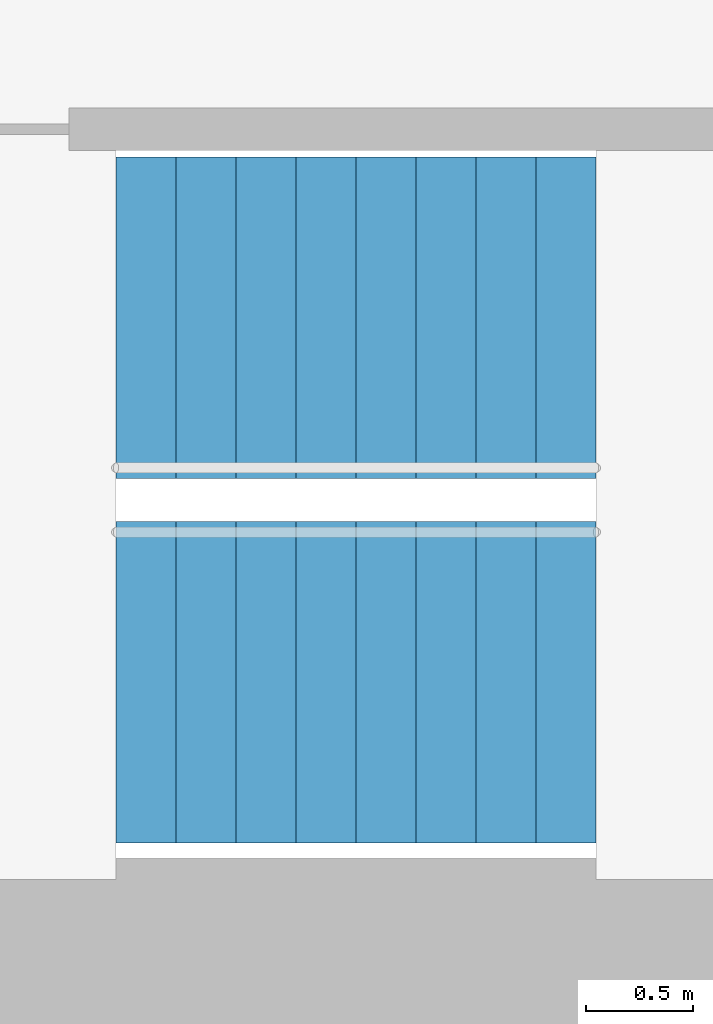
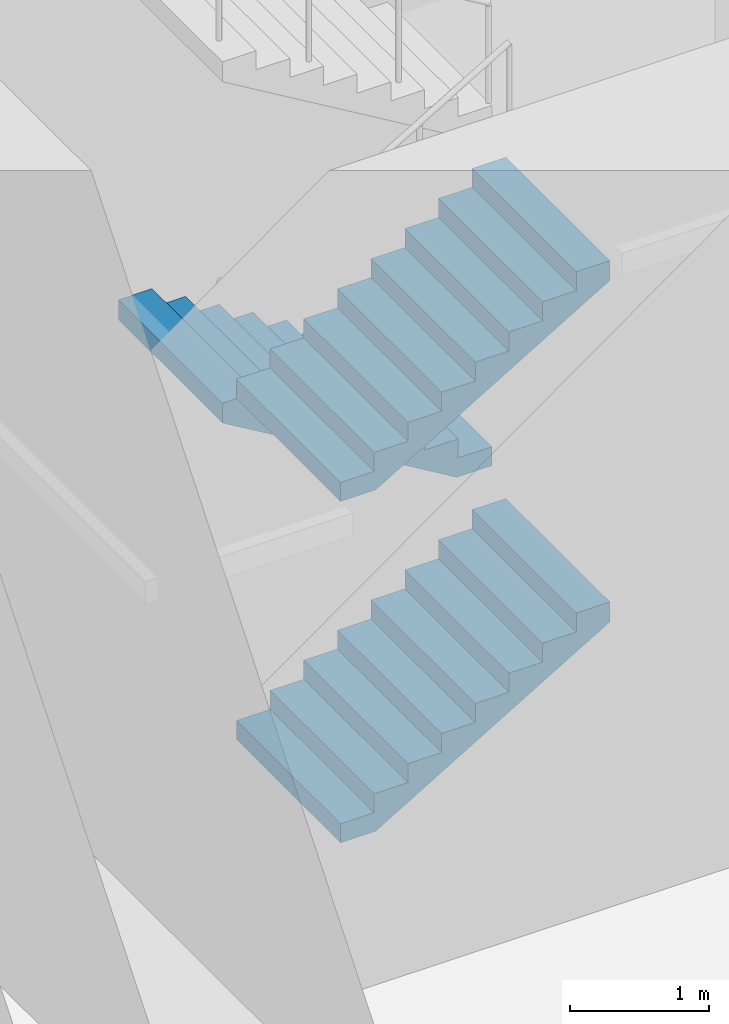
# One storey, part 16 of 21: 3 stair flights, 1 element without a shape of its own.
"""IFC4 building model written with IfcOpenShell, lengths in metres."""

from ifc_helpers import new_model, si_unit, direction, frame, origin, place, context, subcontext, project, spatial, triangles, material, type_object, element, aggregate, save


model = new_model("IFC4")

# Units and contexts
model_context = context("Model", 3, precision=1e-05, world=origin(), true_north=direction((0.0, 1.0)))
body_context = subcontext(model_context, "Body", "Model", "MODEL_VIEW")
ifc_project = project(units=[si_unit("LENGTHUNIT", "METRE"), si_unit("AREAUNIT", "SQUARE_METRE"), si_unit("VOLUMEUNIT", "CUBIC_METRE"), si_unit("PLANEANGLEUNIT", "RADIAN"), si_unit("MASSUNIT", "GRAM", prefix="KILO")], contexts=[model_context])

# Site, building, storey
site_placement = place(None, origin())
site = spatial("IfcSite", under=ifc_project, at=site_placement, CompositionType="ELEMENT")
building_placement = place(site_placement, origin())
building = spatial("IfcBuilding", under=site, at=building_placement, Name="Lantaw Convention Tower", CompositionType="ELEMENT")
storey_placement = place(building_placement, frame((0.0, 0.0, 111.39990234375)))
storey = spatial("IfcBuildingStorey", under=building, at=storey_placement, Name="L26", CompositionType="ELEMENT", Elevation=111.39990234375)

# Stair, stair flights
ifc_material = material(Name="Concrete C35/45", Category="concrete")
stair_type = type_object("IfcStairType", Name="Exit stair 1500 riser 166.67 in 4 flights", PredefinedType="HALF_TURN_STAIR", material=ifc_material)
stair_placement = place(storey_placement, origin())
stair = element("IfcStair", 1, at=stair_placement, inside=storey, type_object=stair_type, Name="Exit stair S1 L26", PredefinedType="HALF_TURN_STAIR")
stair_flight_type = type_object("IfcStairFlightType", Name="Stair flight 1500 riser 166.67", PredefinedType="STRAIGHT", material=ifc_material)
stair_flight_1_placement = place(storey_placement, frame((-10.580078125, -5.97998046875, 0.0), z_axis=(0.0, 0.0, 1.0), x_axis=(1.0, 0.0, 0.0)))
stair_flight_1 = element("IfcStairFlight", 2, at=stair_flight_1_placement, type_object=stair_flight_type, Name="S1 flight 1", NumberOfRisers=9, NumberOfTreads=8, PredefinedType="STRAIGHT", RiserHeight=0.166666667, TreadLength=0.28, context=body_context, shape_type="Tessellation", body=[
    triangles([(0.0, 0.75, 0.0), (0.0, 0.75, 0.166666667), (0.28, 0.75, 0.0), (0.28, 0.75, 0.166666667), (0.28, 0.75, 0.333333334), (0.2930734580690677, 0.75, 0.0), (0.2930734580690677, 0.75, 0.333333334), (0.56, 0.75, 0.1588848467052294), (0.56, 0.75, 0.333333334), (0.56, 0.75, 0.500000001), (0.8400000000000001, 0.75, 0.32555151370522933), (0.8400000000000001, 0.75, 0.500000001), (0.8400000000000001, 0.75, 0.666666668), (1.12, 0.75, 0.4922181807052293), (1.12, 0.75, 0.666666668), (1.12, 0.75, 0.833333335), (1.4000000000000001, 0.75, 0.6588848477052293), (1.4000000000000001, 0.75, 0.833333335), (1.4000000000000001, 0.75, 1.000000002), (1.6800000000000002, 0.75, 0.8255515147052293), (1.6800000000000002, 0.75, 1.000000002), (1.6800000000000002, 0.75, 1.166666669), (1.9600000000000002, 0.75, 0.9922181817052292), (1.9600000000000002, 0.75, 1.166666669), (1.9600000000000002, 0.75, 1.333333336), (2.24, 0.75, 1.1588848487052292), (2.24, 0.75, 1.333333336), (0.0, -0.75, 0.0), (0.0, -0.75, 0.166666667), (0.28, -0.75, 0.0), (0.28, -0.75, 0.166666667), (0.28, -0.75, 0.333333334), (0.2930734580690677, -0.75, 0.0), (0.2930734580690677, -0.75, 0.333333334), (0.56, -0.75, 0.1588848467052294), (0.56, -0.75, 0.333333334), (0.56, -0.75, 0.500000001), (0.8400000000000001, -0.75, 0.32555151370522933), (0.8400000000000001, -0.75, 0.500000001), (0.8400000000000001, -0.75, 0.666666668), (1.12, -0.75, 0.4922181807052293), (1.12, -0.75, 0.666666668), (1.12, -0.75, 0.833333335), (1.4000000000000001, -0.75, 0.6588848477052293), (1.4000000000000001, -0.75, 0.833333335), (1.4000000000000001, -0.75, 1.000000002), (1.6800000000000002, -0.75, 0.8255515147052293), (1.6800000000000002, -0.75, 1.000000002), (1.6800000000000002, -0.75, 1.166666669), (1.9600000000000002, -0.75, 0.9922181817052292), (1.9600000000000002, -0.75, 1.166666669), (1.9600000000000002, -0.75, 1.333333336), (2.24, -0.75, 1.1588848487052292), (2.24, -0.75, 1.333333336), (0.0, 0.15000000000000002, 0.166666667), (0.0, 0.15000000000000002, 0.0), (0.0, 0.0, 0.166666667), (0.0, 0.0, 0.0), (0.0, -0.15000000000000002, 0.166666667), (0.0, -0.15000000000000002, 0.0), (0.28, 0.15000000000000002, 0.333333334), (0.28, 0.15000000000000002, 0.166666667), (0.28, 0.0, 0.333333334), (0.28, 0.0, 0.166666667), (0.28, -0.15000000000000002, 0.333333334), (0.28, -0.15000000000000002, 0.166666667), (0.56, 0.15000000000000002, 0.500000001), (0.56, 0.15000000000000002, 0.333333334), (0.56, 0.0, 0.500000001), (0.56, 0.0, 0.333333334), (0.56, -0.15000000000000002, 0.500000001), (0.56, -0.15000000000000002, 0.333333334), (0.8400000000000001, 0.15000000000000002, 0.666666668), (0.8400000000000001, 0.15000000000000002, 0.500000001), (0.8400000000000001, 0.0, 0.666666668), (0.8400000000000001, 0.0, 0.500000001), (0.8400000000000001, -0.15000000000000002, 0.666666668), (0.8400000000000001, -0.15000000000000002, 0.500000001), (1.12, 0.15000000000000002, 0.833333335), (1.12, 0.15000000000000002, 0.666666668), (1.12, 0.0, 0.833333335), (1.12, 0.0, 0.666666668), (1.12, -0.15000000000000002, 0.833333335), (1.12, -0.15000000000000002, 0.666666668), (1.4000000000000001, 0.15000000000000002, 1.000000002), (1.4000000000000001, 0.15000000000000002, 0.833333335), (1.4000000000000001, 0.0, 1.000000002), (1.4000000000000001, 0.0, 0.833333335), (1.4000000000000001, -0.15000000000000002, 1.000000002), (1.4000000000000001, -0.15000000000000002, 0.833333335), (1.6800000000000002, 0.15000000000000002, 1.166666669), (1.6800000000000002, 0.15000000000000002, 1.000000002), (1.6800000000000002, 0.0, 1.166666669), (1.6800000000000002, 0.0, 1.000000002), (1.6800000000000002, -0.15000000000000002, 1.166666669), (1.6800000000000002, -0.15000000000000002, 1.000000002), (1.9600000000000002, 0.15000000000000002, 1.333333336), (1.9600000000000002, 0.15000000000000002, 1.166666669), (1.9600000000000002, 0.0, 1.333333336), (1.9600000000000002, 0.0, 1.166666669), (1.9600000000000002, -0.15000000000000002, 1.333333336), (1.9600000000000002, -0.15000000000000002, 1.166666669), (0.2930734580690677, 0.15000000000000002, 0.333333334), (0.2930734580690677, 0.0, 0.333333334), (0.2930734580690677, -0.15000000000000002, 0.333333334), (2.24, 0.15000000000000002, 1.333333336), (2.24, 0.0, 1.333333336), (2.24, -0.15000000000000002, 1.333333336), (2.24, 0.15000000000000002, 1.1588848487052292), (2.24, 0.0, 1.1588848487052292), (2.24, -0.15000000000000002, 1.1588848487052292), (1.9600000000000002, 0.15000000000000002, 0.9922181817052292), (1.9600000000000002, 0.0, 0.9922181817052292), (1.9600000000000002, -0.15000000000000002, 0.9922181817052292), (1.6800000000000002, 0.15000000000000002, 0.8255515147052293), (1.6800000000000002, 0.0, 0.8255515147052293), (1.6800000000000002, -0.15000000000000002, 0.8255515147052293), (1.4000000000000001, 0.15000000000000002, 0.6588848477052293), (1.4000000000000001, 0.0, 0.6588848477052293), (1.4000000000000001, -0.15000000000000002, 0.6588848477052293), (1.12, 0.15000000000000002, 0.4922181807052293), (1.12, 0.0, 0.4922181807052293), (1.12, -0.15000000000000002, 0.4922181807052293), (0.8400000000000001, 0.15000000000000002, 0.32555151370522933), (0.8400000000000001, 0.0, 0.32555151370522933), (0.8400000000000001, -0.15000000000000002, 0.32555151370522933), (0.56, 0.15000000000000002, 0.1588848467052294), (0.56, 0.0, 0.1588848467052294), (0.56, -0.15000000000000002, 0.1588848467052294), (0.2930734580690677, 0.15000000000000002, 0.0), (0.2930734580690677, 0.0, 0.0), (0.2930734580690677, -0.15000000000000002, 0.0), (0.28, 0.15000000000000002, 0.0), (0.28, 0.0, 0.0), (0.28, -0.15000000000000002, 0.0)], [[1, 4, 3], [1, 2, 4], [3, 4, 6], [4, 7, 6], [4, 5, 7], [6, 9, 8], [6, 7, 9], [8, 9, 11], [9, 12, 11], [9, 10, 12], [11, 12, 14], [12, 15, 14], [12, 13, 15], [14, 15, 17], [15, 18, 17], [15, 16, 18], [17, 18, 20], [18, 21, 20], [18, 19, 21], [20, 21, 23], [21, 24, 23], [21, 22, 24], [23, 24, 26], [24, 27, 26], [24, 25, 27], [28, 30, 31], [28, 31, 29], [30, 33, 31], [31, 33, 34], [31, 34, 32], [33, 35, 36], [33, 36, 34], [35, 38, 36], [36, 38, 39], [36, 39, 37], [38, 41, 39], [39, 41, 42], [39, 42, 40], [41, 44, 42], [42, 44, 45], [42, 45, 43], [44, 47, 45], [45, 47, 48], [45, 48, 46], [47, 50, 48], [48, 50, 51], [48, 51, 49], [50, 53, 51], [51, 53, 54], [51, 54, 52], [1, 55, 2], [1, 56, 55], [56, 57, 55], [56, 58, 57], [58, 59, 57], [58, 60, 59], [60, 29, 59], [60, 28, 29], [4, 61, 5], [4, 62, 61], [62, 63, 61], [62, 64, 63], [64, 65, 63], [64, 66, 65], [66, 32, 65], [66, 31, 32], [9, 67, 10], [9, 68, 67], [68, 69, 67], [68, 70, 69], [70, 71, 69], [70, 72, 71], [72, 37, 71], [72, 36, 37], [12, 73, 13], [12, 74, 73], [74, 75, 73], [74, 76, 75], [76, 77, 75], [76, 78, 77], [78, 40, 77], [78, 39, 40], [15, 79, 16], [15, 80, 79], [80, 81, 79], [80, 82, 81], [82, 83, 81], [82, 84, 83], [84, 43, 83], [84, 42, 43], [18, 85, 19], [18, 86, 85], [86, 87, 85], [86, 88, 87], [88, 89, 87], [88, 90, 89], [90, 46, 89], [90, 45, 46], [21, 91, 22], [21, 92, 91], [92, 93, 91], [92, 94, 93], [94, 95, 93], [94, 96, 95], [96, 49, 95], [96, 48, 49], [24, 97, 25], [24, 98, 97], [98, 99, 97], [98, 100, 99], [100, 101, 99], [100, 102, 101], [102, 52, 101], [102, 51, 52], [2, 62, 4], [2, 55, 62], [55, 64, 62], [55, 57, 64], [57, 66, 64], [57, 59, 66], [59, 31, 66], [59, 29, 31], [5, 103, 7], [5, 61, 103], [61, 104, 103], [61, 63, 104], [63, 105, 104], [63, 65, 105], [65, 34, 105], [65, 32, 34], [7, 68, 9], [7, 103, 68], [103, 70, 68], [103, 104, 70], [104, 72, 70], [104, 105, 72], [105, 36, 72], [105, 34, 36], [10, 74, 12], [10, 67, 74], [67, 76, 74], [67, 69, 76], [69, 78, 76], [69, 71, 78], [71, 39, 78], [71, 37, 39], [13, 80, 15], [13, 73, 80], [73, 82, 80], [73, 75, 82], [75, 84, 82], [75, 77, 84], [77, 42, 84], [77, 40, 42], [16, 86, 18], [16, 79, 86], [79, 88, 86], [79, 81, 88], [81, 90, 88], [81, 83, 90], [83, 45, 90], [83, 43, 45], [19, 92, 21], [19, 85, 92], [85, 94, 92], [85, 87, 94], [87, 96, 94], [87, 89, 96], [89, 48, 96], [89, 46, 48], [22, 98, 24], [22, 91, 98], [91, 100, 98], [91, 93, 100], [93, 102, 100], [93, 95, 102], [95, 51, 102], [95, 49, 51], [25, 106, 27], [25, 97, 106], [97, 107, 106], [97, 99, 107], [99, 108, 107], [99, 101, 108], [101, 54, 108], [101, 52, 54], [27, 109, 26], [27, 106, 109], [106, 110, 109], [106, 107, 110], [107, 111, 110], [107, 108, 111], [108, 53, 111], [108, 54, 53], [26, 112, 23], [26, 109, 112], [109, 113, 112], [109, 110, 113], [110, 114, 113], [110, 111, 114], [111, 50, 114], [111, 53, 50], [23, 115, 20], [23, 112, 115], [112, 116, 115], [112, 113, 116], [113, 117, 116], [113, 114, 117], [114, 47, 117], [114, 50, 47], [20, 118, 17], [20, 115, 118], [115, 119, 118], [115, 116, 119], [116, 120, 119], [116, 117, 120], [117, 44, 120], [117, 47, 44], [17, 121, 14], [17, 118, 121], [118, 122, 121], [118, 119, 122], [119, 123, 122], [119, 120, 123], [120, 41, 123], [120, 44, 41], [14, 124, 11], [14, 121, 124], [121, 125, 124], [121, 122, 125], [122, 126, 125], [122, 123, 126], [123, 38, 126], [123, 41, 38], [11, 127, 8], [11, 124, 127], [124, 128, 127], [124, 125, 128], [125, 129, 128], [125, 126, 129], [126, 35, 129], [126, 38, 35], [8, 130, 6], [8, 127, 130], [127, 131, 130], [127, 128, 131], [128, 132, 131], [128, 129, 132], [129, 33, 132], [129, 35, 33], [6, 133, 3], [6, 130, 133], [130, 134, 133], [130, 131, 134], [131, 135, 134], [131, 132, 135], [132, 30, 135], [132, 33, 30], [3, 56, 1], [3, 133, 56], [133, 58, 56], [133, 134, 58], [134, 60, 58], [134, 135, 60], [135, 28, 60], [135, 30, 28]], closed=True),
])
stair_flight_2_placement = place(storey_placement, frame((-8.340087890625, -4.280029296875, 1.5), z_axis=(0.0, 0.0, 1.0), x_axis=(-1.0, 0.0, 0.0)))
stair_flight_2 = element("IfcStairFlight", 3, at=stair_flight_2_placement, type_object=stair_flight_type, Name="S1 flight 2", NumberOfRisers=9, NumberOfTreads=8, PredefinedType="STRAIGHT", RiserHeight=0.166666667, TreadLength=0.28, context=body_context, shape_type="Tessellation", body=[
    triangles([(0.0, 0.75, 0.0), (0.0, 0.75, 0.166666667), (0.28, 0.75, 0.0), (0.28, 0.75, 0.166666667), (0.28, 0.75, 0.333333334), (0.2930734580690677, 0.75, 0.0), (0.2930734580690677, 0.75, 0.333333334), (0.56, 0.75, 0.1588848467052294), (0.56, 0.75, 0.333333334), (0.56, 0.75, 0.500000001), (0.8400000000000001, 0.75, 0.32555151370522933), (0.8400000000000001, 0.75, 0.500000001), (0.8400000000000001, 0.75, 0.666666668), (1.12, 0.75, 0.4922181807052293), (1.12, 0.75, 0.666666668), (1.12, 0.75, 0.833333335), (1.4000000000000001, 0.75, 0.6588848477052293), (1.4000000000000001, 0.75, 0.833333335), (1.4000000000000001, 0.75, 1.000000002), (1.6800000000000002, 0.75, 0.8255515147052293), (1.6800000000000002, 0.75, 1.000000002), (1.6800000000000002, 0.75, 1.166666669), (1.9600000000000002, 0.75, 0.9922181817052292), (1.9600000000000002, 0.75, 1.166666669), (1.9600000000000002, 0.75, 1.333333336), (2.24, 0.75, 1.1588848487052292), (2.24, 0.75, 1.333333336), (0.0, -0.75, 0.0), (0.0, -0.75, 0.166666667), (0.28, -0.75, 0.0), (0.28, -0.75, 0.166666667), (0.28, -0.75, 0.333333334), (0.2930734580690677, -0.75, 0.0), (0.2930734580690677, -0.75, 0.333333334), (0.56, -0.75, 0.1588848467052294), (0.56, -0.75, 0.333333334), (0.56, -0.75, 0.500000001), (0.8400000000000001, -0.75, 0.32555151370522933), (0.8400000000000001, -0.75, 0.500000001), (0.8400000000000001, -0.75, 0.666666668), (1.12, -0.75, 0.4922181807052293), (1.12, -0.75, 0.666666668), (1.12, -0.75, 0.833333335), (1.4000000000000001, -0.75, 0.6588848477052293), (1.4000000000000001, -0.75, 0.833333335), (1.4000000000000001, -0.75, 1.000000002), (1.6800000000000002, -0.75, 0.8255515147052293), (1.6800000000000002, -0.75, 1.000000002), (1.6800000000000002, -0.75, 1.166666669), (1.9600000000000002, -0.75, 0.9922181817052292), (1.9600000000000002, -0.75, 1.166666669), (1.9600000000000002, -0.75, 1.333333336), (2.24, -0.75, 1.1588848487052292), (2.24, -0.75, 1.333333336), (0.0, 0.15000000000000002, 0.166666667), (0.0, 0.15000000000000002, 0.0), (0.0, 0.0, 0.166666667), (0.0, 0.0, 0.0), (0.0, -0.15000000000000002, 0.166666667), (0.0, -0.15000000000000002, 0.0), (0.28, 0.15000000000000002, 0.333333334), (0.28, 0.15000000000000002, 0.166666667), (0.28, 0.0, 0.333333334), (0.28, 0.0, 0.166666667), (0.28, -0.15000000000000002, 0.333333334), (0.28, -0.15000000000000002, 0.166666667), (0.56, 0.15000000000000002, 0.500000001), (0.56, 0.15000000000000002, 0.333333334), (0.56, 0.0, 0.500000001), (0.56, 0.0, 0.333333334), (0.56, -0.15000000000000002, 0.500000001), (0.56, -0.15000000000000002, 0.333333334), (0.8400000000000001, 0.15000000000000002, 0.666666668), (0.8400000000000001, 0.15000000000000002, 0.500000001), (0.8400000000000001, 0.0, 0.666666668), (0.8400000000000001, 0.0, 0.500000001), (0.8400000000000001, -0.15000000000000002, 0.666666668), (0.8400000000000001, -0.15000000000000002, 0.500000001), (1.12, 0.15000000000000002, 0.833333335), (1.12, 0.15000000000000002, 0.666666668), (1.12, 0.0, 0.833333335), (1.12, 0.0, 0.666666668), (1.12, -0.15000000000000002, 0.833333335), (1.12, -0.15000000000000002, 0.666666668), (1.4000000000000001, 0.15000000000000002, 1.000000002), (1.4000000000000001, 0.15000000000000002, 0.833333335), (1.4000000000000001, 0.0, 1.000000002), (1.4000000000000001, 0.0, 0.833333335), (1.4000000000000001, -0.15000000000000002, 1.000000002), (1.4000000000000001, -0.15000000000000002, 0.833333335), (1.6800000000000002, 0.15000000000000002, 1.166666669), (1.6800000000000002, 0.15000000000000002, 1.000000002), (1.6800000000000002, 0.0, 1.166666669), (1.6800000000000002, 0.0, 1.000000002), (1.6800000000000002, -0.15000000000000002, 1.166666669), (1.6800000000000002, -0.15000000000000002, 1.000000002), (1.9600000000000002, 0.15000000000000002, 1.333333336), (1.9600000000000002, 0.15000000000000002, 1.166666669), (1.9600000000000002, 0.0, 1.333333336), (1.9600000000000002, 0.0, 1.166666669), (1.9600000000000002, -0.15000000000000002, 1.333333336), (1.9600000000000002, -0.15000000000000002, 1.166666669), (0.2930734580690677, 0.15000000000000002, 0.333333334), (0.2930734580690677, 0.0, 0.333333334), (0.2930734580690677, -0.15000000000000002, 0.333333334), (2.24, 0.15000000000000002, 1.333333336), (2.24, 0.0, 1.333333336), (2.24, -0.15000000000000002, 1.333333336), (2.24, 0.15000000000000002, 1.1588848487052292), (2.24, 0.0, 1.1588848487052292), (2.24, -0.15000000000000002, 1.1588848487052292), (1.9600000000000002, 0.15000000000000002, 0.9922181817052292), (1.9600000000000002, 0.0, 0.9922181817052292), (1.9600000000000002, -0.15000000000000002, 0.9922181817052292), (1.6800000000000002, 0.15000000000000002, 0.8255515147052293), (1.6800000000000002, 0.0, 0.8255515147052293), (1.6800000000000002, -0.15000000000000002, 0.8255515147052293), (1.4000000000000001, 0.15000000000000002, 0.6588848477052293), (1.4000000000000001, 0.0, 0.6588848477052293), (1.4000000000000001, -0.15000000000000002, 0.6588848477052293), (1.12, 0.15000000000000002, 0.4922181807052293), (1.12, 0.0, 0.4922181807052293), (1.12, -0.15000000000000002, 0.4922181807052293), (0.8400000000000001, 0.15000000000000002, 0.32555151370522933), (0.8400000000000001, 0.0, 0.32555151370522933), (0.8400000000000001, -0.15000000000000002, 0.32555151370522933), (0.56, 0.15000000000000002, 0.1588848467052294), (0.56, 0.0, 0.1588848467052294), (0.56, -0.15000000000000002, 0.1588848467052294), (0.2930734580690677, 0.15000000000000002, 0.0), (0.2930734580690677, 0.0, 0.0), (0.2930734580690677, -0.15000000000000002, 0.0), (0.28, 0.15000000000000002, 0.0), (0.28, 0.0, 0.0), (0.28, -0.15000000000000002, 0.0)], [[1, 4, 3], [1, 2, 4], [3, 4, 6], [4, 7, 6], [4, 5, 7], [6, 9, 8], [6, 7, 9], [8, 9, 11], [9, 12, 11], [9, 10, 12], [11, 12, 14], [12, 15, 14], [12, 13, 15], [14, 15, 17], [15, 18, 17], [15, 16, 18], [17, 18, 20], [18, 21, 20], [18, 19, 21], [20, 21, 23], [21, 24, 23], [21, 22, 24], [23, 24, 26], [24, 27, 26], [24, 25, 27], [28, 30, 31], [28, 31, 29], [30, 33, 31], [31, 33, 34], [31, 34, 32], [33, 35, 36], [33, 36, 34], [35, 38, 36], [36, 38, 39], [36, 39, 37], [38, 41, 39], [39, 41, 42], [39, 42, 40], [41, 44, 42], [42, 44, 45], [42, 45, 43], [44, 47, 45], [45, 47, 48], [45, 48, 46], [47, 50, 48], [48, 50, 51], [48, 51, 49], [50, 53, 51], [51, 53, 54], [51, 54, 52], [1, 55, 2], [1, 56, 55], [56, 57, 55], [56, 58, 57], [58, 59, 57], [58, 60, 59], [60, 29, 59], [60, 28, 29], [4, 61, 5], [4, 62, 61], [62, 63, 61], [62, 64, 63], [64, 65, 63], [64, 66, 65], [66, 32, 65], [66, 31, 32], [9, 67, 10], [9, 68, 67], [68, 69, 67], [68, 70, 69], [70, 71, 69], [70, 72, 71], [72, 37, 71], [72, 36, 37], [12, 73, 13], [12, 74, 73], [74, 75, 73], [74, 76, 75], [76, 77, 75], [76, 78, 77], [78, 40, 77], [78, 39, 40], [15, 79, 16], [15, 80, 79], [80, 81, 79], [80, 82, 81], [82, 83, 81], [82, 84, 83], [84, 43, 83], [84, 42, 43], [18, 85, 19], [18, 86, 85], [86, 87, 85], [86, 88, 87], [88, 89, 87], [88, 90, 89], [90, 46, 89], [90, 45, 46], [21, 91, 22], [21, 92, 91], [92, 93, 91], [92, 94, 93], [94, 95, 93], [94, 96, 95], [96, 49, 95], [96, 48, 49], [24, 97, 25], [24, 98, 97], [98, 99, 97], [98, 100, 99], [100, 101, 99], [100, 102, 101], [102, 52, 101], [102, 51, 52], [2, 62, 4], [2, 55, 62], [55, 64, 62], [55, 57, 64], [57, 66, 64], [57, 59, 66], [59, 31, 66], [59, 29, 31], [5, 103, 7], [5, 61, 103], [61, 104, 103], [61, 63, 104], [63, 105, 104], [63, 65, 105], [65, 34, 105], [65, 32, 34], [7, 68, 9], [7, 103, 68], [103, 70, 68], [103, 104, 70], [104, 72, 70], [104, 105, 72], [105, 36, 72], [105, 34, 36], [10, 74, 12], [10, 67, 74], [67, 76, 74], [67, 69, 76], [69, 78, 76], [69, 71, 78], [71, 39, 78], [71, 37, 39], [13, 80, 15], [13, 73, 80], [73, 82, 80], [73, 75, 82], [75, 84, 82], [75, 77, 84], [77, 42, 84], [77, 40, 42], [16, 86, 18], [16, 79, 86], [79, 88, 86], [79, 81, 88], [81, 90, 88], [81, 83, 90], [83, 45, 90], [83, 43, 45], [19, 92, 21], [19, 85, 92], [85, 94, 92], [85, 87, 94], [87, 96, 94], [87, 89, 96], [89, 48, 96], [89, 46, 48], [22, 98, 24], [22, 91, 98], [91, 100, 98], [91, 93, 100], [93, 102, 100], [93, 95, 102], [95, 51, 102], [95, 49, 51], [25, 106, 27], [25, 97, 106], [97, 107, 106], [97, 99, 107], [99, 108, 107], [99, 101, 108], [101, 54, 108], [101, 52, 54], [27, 109, 26], [27, 106, 109], [106, 110, 109], [106, 107, 110], [107, 111, 110], [107, 108, 111], [108, 53, 111], [108, 54, 53], [26, 112, 23], [26, 109, 112], [109, 113, 112], [109, 110, 113], [110, 114, 113], [110, 111, 114], [111, 50, 114], [111, 53, 50], [23, 115, 20], [23, 112, 115], [112, 116, 115], [112, 113, 116], [113, 117, 116], [113, 114, 117], [114, 47, 117], [114, 50, 47], [20, 118, 17], [20, 115, 118], [115, 119, 118], [115, 116, 119], [116, 120, 119], [116, 117, 120], [117, 44, 120], [117, 47, 44], [17, 121, 14], [17, 118, 121], [118, 122, 121], [118, 119, 122], [119, 123, 122], [119, 120, 123], [120, 41, 123], [120, 44, 41], [14, 124, 11], [14, 121, 124], [121, 125, 124], [121, 122, 125], [122, 126, 125], [122, 123, 126], [123, 38, 126], [123, 41, 38], [11, 127, 8], [11, 124, 127], [124, 128, 127], [124, 125, 128], [125, 129, 128], [125, 126, 129], [126, 35, 129], [126, 38, 35], [8, 130, 6], [8, 127, 130], [127, 131, 130], [127, 128, 131], [128, 132, 131], [128, 129, 132], [129, 33, 132], [129, 35, 33], [6, 133, 3], [6, 130, 133], [130, 134, 133], [130, 131, 134], [131, 135, 134], [131, 132, 135], [132, 30, 135], [132, 33, 30], [3, 56, 1], [3, 133, 56], [133, 58, 56], [133, 134, 58], [134, 60, 58], [134, 135, 60], [135, 28, 60], [135, 30, 28]], closed=True),
])
stair_flight_3_placement = place(storey_placement, frame((-10.580078125, -5.97998046875, 3.0), z_axis=(0.0, 0.0, 1.0), x_axis=(1.0, 0.0, 0.0)))
stair_flight_3 = element("IfcStairFlight", 4, at=stair_flight_3_placement, type_object=stair_flight_type, Name="S1 flight 3", NumberOfRisers=9, NumberOfTreads=8, PredefinedType="STRAIGHT", RiserHeight=0.166666667, TreadLength=0.28, context=body_context, shape_type="Tessellation", body=[
    triangles([(0.0, 0.75, 0.0), (0.0, 0.75, 0.166666667), (0.28, 0.75, 0.0), (0.28, 0.75, 0.166666667), (0.28, 0.75, 0.333333334), (0.2930734580690677, 0.75, 0.0), (0.2930734580690677, 0.75, 0.333333334), (0.56, 0.75, 0.1588848467052294), (0.56, 0.75, 0.333333334), (0.56, 0.75, 0.500000001), (0.8400000000000001, 0.75, 0.32555151370522933), (0.8400000000000001, 0.75, 0.500000001), (0.8400000000000001, 0.75, 0.666666668), (1.12, 0.75, 0.4922181807052293), (1.12, 0.75, 0.666666668), (1.12, 0.75, 0.833333335), (1.4000000000000001, 0.75, 0.6588848477052293), (1.4000000000000001, 0.75, 0.833333335), (1.4000000000000001, 0.75, 1.000000002), (1.6800000000000002, 0.75, 0.8255515147052293), (1.6800000000000002, 0.75, 1.000000002), (1.6800000000000002, 0.75, 1.166666669), (1.9600000000000002, 0.75, 0.9922181817052292), (1.9600000000000002, 0.75, 1.166666669), (1.9600000000000002, 0.75, 1.333333336), (2.24, 0.75, 1.1588848487052292), (2.24, 0.75, 1.333333336), (0.0, -0.75, 0.0), (0.0, -0.75, 0.166666667), (0.28, -0.75, 0.0), (0.28, -0.75, 0.166666667), (0.28, -0.75, 0.333333334), (0.2930734580690677, -0.75, 0.0), (0.2930734580690677, -0.75, 0.333333334), (0.56, -0.75, 0.1588848467052294), (0.56, -0.75, 0.333333334), (0.56, -0.75, 0.500000001), (0.8400000000000001, -0.75, 0.32555151370522933), (0.8400000000000001, -0.75, 0.500000001), (0.8400000000000001, -0.75, 0.666666668), (1.12, -0.75, 0.4922181807052293), (1.12, -0.75, 0.666666668), (1.12, -0.75, 0.833333335), (1.4000000000000001, -0.75, 0.6588848477052293), (1.4000000000000001, -0.75, 0.833333335), (1.4000000000000001, -0.75, 1.000000002), (1.6800000000000002, -0.75, 0.8255515147052293), (1.6800000000000002, -0.75, 1.000000002), (1.6800000000000002, -0.75, 1.166666669), (1.9600000000000002, -0.75, 0.9922181817052292), (1.9600000000000002, -0.75, 1.166666669), (1.9600000000000002, -0.75, 1.333333336), (2.24, -0.75, 1.1588848487052292), (2.24, -0.75, 1.333333336), (0.0, 0.15000000000000002, 0.166666667), (0.0, 0.15000000000000002, 0.0), (0.0, 0.0, 0.166666667), (0.0, 0.0, 0.0), (0.0, -0.15000000000000002, 0.166666667), (0.0, -0.15000000000000002, 0.0), (0.28, 0.15000000000000002, 0.333333334), (0.28, 0.15000000000000002, 0.166666667), (0.28, 0.0, 0.333333334), (0.28, 0.0, 0.166666667), (0.28, -0.15000000000000002, 0.333333334), (0.28, -0.15000000000000002, 0.166666667), (0.56, 0.15000000000000002, 0.500000001), (0.56, 0.15000000000000002, 0.333333334), (0.56, 0.0, 0.500000001), (0.56, 0.0, 0.333333334), (0.56, -0.15000000000000002, 0.500000001), (0.56, -0.15000000000000002, 0.333333334), (0.8400000000000001, 0.15000000000000002, 0.666666668), (0.8400000000000001, 0.15000000000000002, 0.500000001), (0.8400000000000001, 0.0, 0.666666668), (0.8400000000000001, 0.0, 0.500000001), (0.8400000000000001, -0.15000000000000002, 0.666666668), (0.8400000000000001, -0.15000000000000002, 0.500000001), (1.12, 0.15000000000000002, 0.833333335), (1.12, 0.15000000000000002, 0.666666668), (1.12, 0.0, 0.833333335), (1.12, 0.0, 0.666666668), (1.12, -0.15000000000000002, 0.833333335), (1.12, -0.15000000000000002, 0.666666668), (1.4000000000000001, 0.15000000000000002, 1.000000002), (1.4000000000000001, 0.15000000000000002, 0.833333335), (1.4000000000000001, 0.0, 1.000000002), (1.4000000000000001, 0.0, 0.833333335), (1.4000000000000001, -0.15000000000000002, 1.000000002), (1.4000000000000001, -0.15000000000000002, 0.833333335), (1.6800000000000002, 0.15000000000000002, 1.166666669), (1.6800000000000002, 0.15000000000000002, 1.000000002), (1.6800000000000002, 0.0, 1.166666669), (1.6800000000000002, 0.0, 1.000000002), (1.6800000000000002, -0.15000000000000002, 1.166666669), (1.6800000000000002, -0.15000000000000002, 1.000000002), (1.9600000000000002, 0.15000000000000002, 1.333333336), (1.9600000000000002, 0.15000000000000002, 1.166666669), (1.9600000000000002, 0.0, 1.333333336), (1.9600000000000002, 0.0, 1.166666669), (1.9600000000000002, -0.15000000000000002, 1.333333336), (1.9600000000000002, -0.15000000000000002, 1.166666669), (0.2930734580690677, 0.15000000000000002, 0.333333334), (0.2930734580690677, 0.0, 0.333333334), (0.2930734580690677, -0.15000000000000002, 0.333333334), (2.24, 0.15000000000000002, 1.333333336), (2.24, 0.0, 1.333333336), (2.24, -0.15000000000000002, 1.333333336), (2.24, 0.15000000000000002, 1.1588848487052292), (2.24, 0.0, 1.1588848487052292), (2.24, -0.15000000000000002, 1.1588848487052292), (1.9600000000000002, 0.15000000000000002, 0.9922181817052292), (1.9600000000000002, 0.0, 0.9922181817052292), (1.9600000000000002, -0.15000000000000002, 0.9922181817052292), (1.6800000000000002, 0.15000000000000002, 0.8255515147052293), (1.6800000000000002, 0.0, 0.8255515147052293), (1.6800000000000002, -0.15000000000000002, 0.8255515147052293), (1.4000000000000001, 0.15000000000000002, 0.6588848477052293), (1.4000000000000001, 0.0, 0.6588848477052293), (1.4000000000000001, -0.15000000000000002, 0.6588848477052293), (1.12, 0.15000000000000002, 0.4922181807052293), (1.12, 0.0, 0.4922181807052293), (1.12, -0.15000000000000002, 0.4922181807052293), (0.8400000000000001, 0.15000000000000002, 0.32555151370522933), (0.8400000000000001, 0.0, 0.32555151370522933), (0.8400000000000001, -0.15000000000000002, 0.32555151370522933), (0.56, 0.15000000000000002, 0.1588848467052294), (0.56, 0.0, 0.1588848467052294), (0.56, -0.15000000000000002, 0.1588848467052294), (0.2930734580690677, 0.15000000000000002, 0.0), (0.2930734580690677, 0.0, 0.0), (0.2930734580690677, -0.15000000000000002, 0.0), (0.28, 0.15000000000000002, 0.0), (0.28, 0.0, 0.0), (0.28, -0.15000000000000002, 0.0)], [[1, 4, 3], [1, 2, 4], [3, 4, 6], [4, 7, 6], [4, 5, 7], [6, 9, 8], [6, 7, 9], [8, 9, 11], [9, 12, 11], [9, 10, 12], [11, 12, 14], [12, 15, 14], [12, 13, 15], [14, 15, 17], [15, 18, 17], [15, 16, 18], [17, 18, 20], [18, 21, 20], [18, 19, 21], [20, 21, 23], [21, 24, 23], [21, 22, 24], [23, 24, 26], [24, 27, 26], [24, 25, 27], [28, 30, 31], [28, 31, 29], [30, 33, 31], [31, 33, 34], [31, 34, 32], [33, 35, 36], [33, 36, 34], [35, 38, 36], [36, 38, 39], [36, 39, 37], [38, 41, 39], [39, 41, 42], [39, 42, 40], [41, 44, 42], [42, 44, 45], [42, 45, 43], [44, 47, 45], [45, 47, 48], [45, 48, 46], [47, 50, 48], [48, 50, 51], [48, 51, 49], [50, 53, 51], [51, 53, 54], [51, 54, 52], [1, 55, 2], [1, 56, 55], [56, 57, 55], [56, 58, 57], [58, 59, 57], [58, 60, 59], [60, 29, 59], [60, 28, 29], [4, 61, 5], [4, 62, 61], [62, 63, 61], [62, 64, 63], [64, 65, 63], [64, 66, 65], [66, 32, 65], [66, 31, 32], [9, 67, 10], [9, 68, 67], [68, 69, 67], [68, 70, 69], [70, 71, 69], [70, 72, 71], [72, 37, 71], [72, 36, 37], [12, 73, 13], [12, 74, 73], [74, 75, 73], [74, 76, 75], [76, 77, 75], [76, 78, 77], [78, 40, 77], [78, 39, 40], [15, 79, 16], [15, 80, 79], [80, 81, 79], [80, 82, 81], [82, 83, 81], [82, 84, 83], [84, 43, 83], [84, 42, 43], [18, 85, 19], [18, 86, 85], [86, 87, 85], [86, 88, 87], [88, 89, 87], [88, 90, 89], [90, 46, 89], [90, 45, 46], [21, 91, 22], [21, 92, 91], [92, 93, 91], [92, 94, 93], [94, 95, 93], [94, 96, 95], [96, 49, 95], [96, 48, 49], [24, 97, 25], [24, 98, 97], [98, 99, 97], [98, 100, 99], [100, 101, 99], [100, 102, 101], [102, 52, 101], [102, 51, 52], [2, 62, 4], [2, 55, 62], [55, 64, 62], [55, 57, 64], [57, 66, 64], [57, 59, 66], [59, 31, 66], [59, 29, 31], [5, 103, 7], [5, 61, 103], [61, 104, 103], [61, 63, 104], [63, 105, 104], [63, 65, 105], [65, 34, 105], [65, 32, 34], [7, 68, 9], [7, 103, 68], [103, 70, 68], [103, 104, 70], [104, 72, 70], [104, 105, 72], [105, 36, 72], [105, 34, 36], [10, 74, 12], [10, 67, 74], [67, 76, 74], [67, 69, 76], [69, 78, 76], [69, 71, 78], [71, 39, 78], [71, 37, 39], [13, 80, 15], [13, 73, 80], [73, 82, 80], [73, 75, 82], [75, 84, 82], [75, 77, 84], [77, 42, 84], [77, 40, 42], [16, 86, 18], [16, 79, 86], [79, 88, 86], [79, 81, 88], [81, 90, 88], [81, 83, 90], [83, 45, 90], [83, 43, 45], [19, 92, 21], [19, 85, 92], [85, 94, 92], [85, 87, 94], [87, 96, 94], [87, 89, 96], [89, 48, 96], [89, 46, 48], [22, 98, 24], [22, 91, 98], [91, 100, 98], [91, 93, 100], [93, 102, 100], [93, 95, 102], [95, 51, 102], [95, 49, 51], [25, 106, 27], [25, 97, 106], [97, 107, 106], [97, 99, 107], [99, 108, 107], [99, 101, 108], [101, 54, 108], [101, 52, 54], [27, 109, 26], [27, 106, 109], [106, 110, 109], [106, 107, 110], [107, 111, 110], [107, 108, 111], [108, 53, 111], [108, 54, 53], [26, 112, 23], [26, 109, 112], [109, 113, 112], [109, 110, 113], [110, 114, 113], [110, 111, 114], [111, 50, 114], [111, 53, 50], [23, 115, 20], [23, 112, 115], [112, 116, 115], [112, 113, 116], [113, 117, 116], [113, 114, 117], [114, 47, 117], [114, 50, 47], [20, 118, 17], [20, 115, 118], [115, 119, 118], [115, 116, 119], [116, 120, 119], [116, 117, 120], [117, 44, 120], [117, 47, 44], [17, 121, 14], [17, 118, 121], [118, 122, 121], [118, 119, 122], [119, 123, 122], [119, 120, 123], [120, 41, 123], [120, 44, 41], [14, 124, 11], [14, 121, 124], [121, 125, 124], [121, 122, 125], [122, 126, 125], [122, 123, 126], [123, 38, 126], [123, 41, 38], [11, 127, 8], [11, 124, 127], [124, 128, 127], [124, 125, 128], [125, 129, 128], [125, 126, 129], [126, 35, 129], [126, 38, 35], [8, 130, 6], [8, 127, 130], [127, 131, 130], [127, 128, 131], [128, 132, 131], [128, 129, 132], [129, 33, 132], [129, 35, 33], [6, 133, 3], [6, 130, 133], [130, 134, 133], [130, 131, 134], [131, 135, 134], [131, 132, 135], [132, 30, 135], [132, 33, 30], [3, 56, 1], [3, 133, 56], [133, 58, 56], [133, 134, 58], [134, 60, 58], [134, 135, 60], [135, 28, 60], [135, 30, 28]], closed=True),
])
aggregate(stair, [stair_flight_1, stair_flight_2, stair_flight_3])

save(model, "model.ifc")
